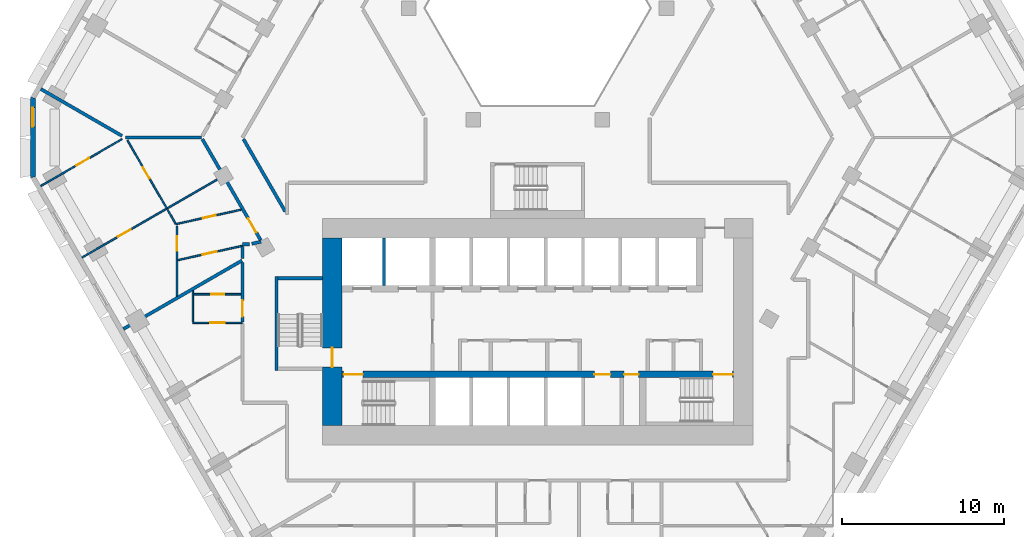
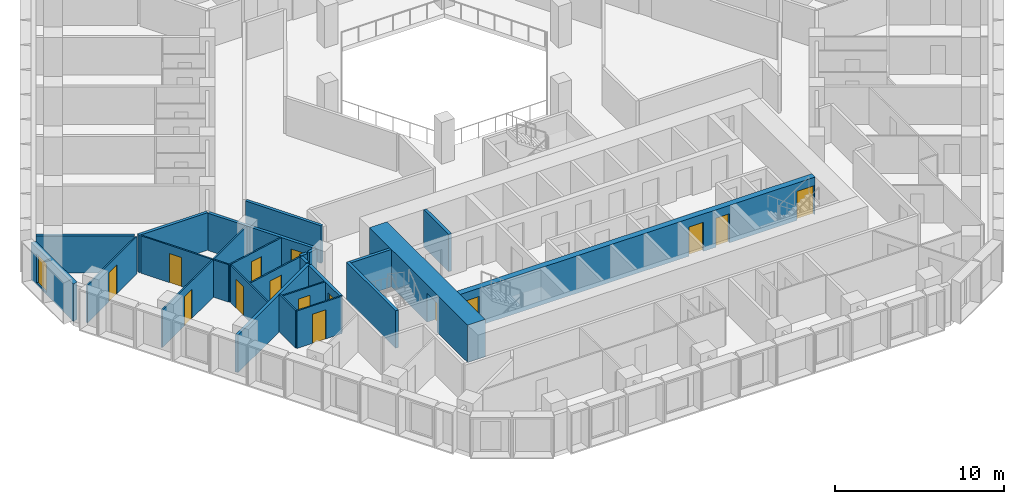
# One storey, part 4 of 16: 25 walls, 15 doors, 1 window, 16 openings.
"""IFC4 building model written with IfcOpenShell, lengths in metres."""

from ifc_helpers import new_model, si_unit, direction, frame, frame_2d, origin, place, context, subcontext, project, spatial, polyline, rectangle, outline, extrude, material, layer, layer_set, type_object, element, fill, save


model = new_model("IFC4")

# Units and contexts
model_context = context("Model", 3, precision=1e-05, world=origin(), true_north=direction((0.0, 1.0)))
body_context = subcontext(model_context, "Body", "Model", "MODEL_VIEW")
ifc_project = project(units=[si_unit("LENGTHUNIT", "METRE"), si_unit("AREAUNIT", "SQUARE_METRE"), si_unit("VOLUMEUNIT", "CUBIC_METRE"), si_unit("PLANEANGLEUNIT", "RADIAN"), si_unit("MASSUNIT", "GRAM", prefix="KILO")], contexts=[model_context])

# Site, building, storey
site_placement = place(None, origin())
site = spatial("IfcSite", under=ifc_project, at=site_placement, CompositionType="ELEMENT")
building_placement = place(site_placement, origin())
building = spatial("IfcBuilding", under=site, at=building_placement, Name="Beryl Residences", CompositionType="ELEMENT")
storey_placement = place(building_placement, frame((0.0, 0.0, 32.39990234375)))
storey = spatial("IfcBuildingStorey", under=building, at=storey_placement, Name="L09", CompositionType="ELEMENT", Elevation=32.39990234375)

# Wall, opening, window
ifc_material_1 = material(Name="Composite metal panel with mineral wool insulation")
ifc_layer_1 = layer(ifc_material_1, 0.300048828125)
ifc_layer_set_1 = layer_set([ifc_layer_1], Name="ES1 pale metal composite panel wall 300 mm")
wall_type_1 = type_object("IfcWallType", Name="ES1 pale metal composite panel wall 300 mm", PredefinedType="SOLIDWALL", material=ifc_layer_set_1)
wall_1_placement = place(storey_placement, frame((-31.199951171875, 2.5, 0.0), z_axis=(0.0, 0.0, 1.0), x_axis=(0.0, -1.0, 0.0)))
wall_1 = element("IfcWall", 1, at=wall_1_placement, inside=storey, type_object=wall_type_1, Name="ES1 external wall L09 NW-SW", PredefinedType="SOLIDWALL", context=body_context, shape_type="SweptSolid", body=[
    extrude(outline(polyline([(0.0, -0.14990234375), (5.0, -0.14990234375), (4.919677734375, 0.14990234375), (0.080322265625, 0.14990234375), (0.0, -0.14990234375)])), origin(), (0.0, 0.0, 1.0), 2.7001953125),
])
opening_1_placement = place(wall_1_placement, frame((0.64990234375, 0.0, 0.14990234375)))
opening_1 = element("IfcOpeningElement", 2, at=opening_1_placement, cuts=wall_1, Name="Opening W2", PredefinedType="OPENING", context=body_context, shape_type="SweptSolid", body=[
    extrude(rectangle(XDim=1.199951171875, YDim=2.10009765625, at=frame_2d((0.60009765625, 1.050048828125))), frame((0.0, 0.159912109375, 0.0), z_axis=(0.0, -1.0, 0.0), x_axis=(1.0, 0.0, 0.0)), (0.0, 0.0, 1.0), 0.320068359375),
])
ifc_material_2 = material(Name="Aluminium and clear glass", Category="aluminium")
window_type = type_object("IfcWindowType", Name="W2 chamfer window 1200 x 2100 mm", PartitioningType="SINGLE_PANEL", PredefinedType="WINDOW", material=ifc_material_2)
window_placement = place(opening_1_placement, origin())
window = element("IfcWindow", 3, at=window_placement, inside=storey, type_object=window_type, Name="W2 window L09 NW-SW 1", OverallHeight=2.10009765625, OverallWidth=1.199951171875, PartitioningType="SINGLE_PANEL", PredefinedType="WINDOW", context=body_context, shape_type="SweptSolid", body=[
    extrude(rectangle(XDim=1.199951171875, YDim=2.10009765625, at=frame_2d((0.60009765625, 1.050048828125))), frame((0.0, 0.030029296875, 0.0), z_axis=(0.0, -1.0, 0.0), x_axis=(1.0, 0.0, 0.0)), (0.0, 0.0, 1.0), 0.06005859375),
])
fill(opening_1, window)

# Wall, opening, door
ifc_material_3 = material(Name="Gypsum board partition on steel studs", Category="steel")
ifc_layer_2 = layer(ifc_material_3, 0.10009765625)
ifc_layer_set_2 = layer_set([ifc_layer_2], Name="PT1 partition 100 mm gypsum board on steel studs")
wall_type_2 = type_object("IfcWallType", Name="PT1 partition 100 mm gypsum board on steel studs", PredefinedType="PARTITIONING", material=ifc_layer_set_2)
wall_2_placement = place(storey_placement, frame((-25.35791015625, -0.174072265625, 0.0), z_axis=(0.0, 0.0, 1.0), x_axis=(0.500093956194, -0.865971151354, 0.0)))
wall_2 = element("IfcWall", 4, at=wall_2_placement, inside=storey, type_object=wall_type_2, Name="Wall PT1 L09 002", PredefinedType="PARTITIONING", context=body_context, shape_type="SweptSolid", body=[
    extrude(rectangle(XDim=4.873046875, YDim=0.10009765625, at=frame_2d((2.4365234375, 0.0))), origin(), (0.0, 0.0, 1.0), 2.7001953125),
])
opening_2_placement = place(wall_2_placement, frame((1.93701171875, 0.0, 0.0)))
opening_2 = element("IfcOpeningElement", 5, at=opening_2_placement, cuts=wall_2, Name="Opening D0418", PredefinedType="OPENING", context=body_context, shape_type="SweptSolid", body=[
    extrude(rectangle(XDim=0.800048828125, YDim=2.10009765625, at=frame_2d((0.39990234375, 1.050048828125))), frame((0.0, 0.06005859375, 0.0), z_axis=(0.0, -1.0, 0.0), x_axis=(1.0, 0.0, 0.0)), (0.0, 0.0, 1.0), 0.1201171875),
])
ifc_material_4 = material(Name="Timber door leaf", Category="wood")
door_type_1 = type_object("IfcDoorType", Name="D3 bathroom door 800 x 2100 mm", OperationType="SINGLE_SWING_LEFT", PredefinedType="DOOR", material=ifc_material_4)
door_1_placement = place(opening_2_placement, origin())
door_1 = element("IfcDoor", 6, at=door_1_placement, inside=storey, type_object=door_type_1, Name="Door D0418 L09 001", OperationType="SINGLE_SWING_RIGHT", OverallHeight=2.10009765625, OverallWidth=0.800048828125, PredefinedType="DOOR", context=body_context, shape_type="SweptSolid", body=[
    extrude(rectangle(XDim=0.800048828125, YDim=2.10009765625, at=frame_2d((0.39990234375, 1.050048828125))), frame((0.0, 0.02490234375, 0.0), z_axis=(0.0, -1.0, 0.0), x_axis=(1.0, 0.0, 0.0)), (0.0, 0.0, 1.0), 0.050048828125),
])
fill(opening_2, door_1)

# Wall
wall_3_placement = place(storey_placement, frame((-21.31005859375, -9.47412109375, 0.0), z_axis=(0.0, 0.0, 1.0), x_axis=(0.0, -1.0, 0.0)))
element("IfcWall", 7, at=wall_3_placement, inside=storey, type_object=wall_type_2, Name="Wall PT1 L09 010", PredefinedType="PARTITIONING", context=body_context, shape_type="SweptSolid", body=[
    extrude(rectangle(XDim=1.931884765625, YDim=0.10009765625, at=frame_2d((0.9658203125, 0.0))), origin(), (0.0, 0.0, 1.0), 2.7001953125),
])

# Wall, opening, door
wall_4_placement = place(storey_placement, frame((-21.260009765625, -9.68896484375, 0.0), z_axis=(0.0, 0.0, 1.0), x_axis=(1.0, 0.0, 0.0)))
wall_4 = element("IfcWall", 8, at=wall_4_placement, inside=storey, type_object=wall_type_2, Name="Wall PT1 L09 027", PredefinedType="PARTITIONING", context=body_context, shape_type="SweptSolid", body=[
    extrude(rectangle(XDim=2.909912109375, YDim=0.10009765625, at=frame_2d((1.455078125, 0.0))), origin(), (0.0, 0.0, 1.0), 2.7001953125),
])
opening_3_placement = place(wall_4_placement, frame((1.080078125, 0.0, 0.0)))
opening_3 = element("IfcOpeningElement", 9, at=opening_3_placement, cuts=wall_4, Name="Opening D0421", PredefinedType="OPENING", context=body_context, shape_type="SweptSolid", body=[
    extrude(rectangle(XDim=0.800048828125, YDim=2.10009765625, at=frame_2d((0.39990234375, 1.050048828125))), frame((0.0, 0.06005859375, 0.0), z_axis=(0.0, -1.0, 0.0), x_axis=(1.0, 0.0, 0.0)), (0.0, 0.0, 1.0), 0.1201171875),
])
door_2_placement = place(opening_3_placement, origin())
door_2 = element("IfcDoor", 10, at=door_2_placement, inside=storey, type_object=door_type_1, Name="Door D0421 L09 001", OperationType="SINGLE_SWING_LEFT", OverallHeight=2.10009765625, OverallWidth=0.800048828125, PredefinedType="DOOR", context=body_context, shape_type="SweptSolid", body=[
    extrude(rectangle(XDim=0.800048828125, YDim=2.10009765625, at=frame_2d((0.39990234375, 1.050048828125))), frame((0.0, 0.02490234375, 0.0), z_axis=(0.0, -1.0, 0.0), x_axis=(1.0, 0.0, 0.0)), (0.0, 0.0, 1.0), 0.050048828125),
])
fill(opening_3, door_2)

wall_5_placement = place(storey_placement, frame((-21.30908203125, -11.45703125, 0.0), z_axis=(0.0, 0.0, 1.0), x_axis=(1.0, 0.0, 0.0)))
wall_5 = element("IfcWall", 11, at=wall_5_placement, inside=storey, type_object=wall_type_2, Name="Wall PT1 L09 028", PredefinedType="PARTITIONING", context=body_context, shape_type="SweptSolid", body=[
    extrude(rectangle(XDim=3.05908203125, YDim=0.10009765625, at=frame_2d((1.529541015625, 0.0))), origin(), (0.0, 0.0, 1.0), 2.7001953125),
])
opening_4_placement = place(wall_5_placement, frame((1.0791015625, 0.0, 0.0)))
opening_4 = element("IfcOpeningElement", 12, at=opening_4_placement, cuts=wall_5, Name="Opening D0420", PredefinedType="OPENING", context=body_context, shape_type="SweptSolid", body=[
    extrude(rectangle(XDim=0.89990234375, YDim=2.10009765625, at=frame_2d((0.449951171875, 1.050048828125))), frame((0.0, 0.06005859375, 0.0), z_axis=(0.0, -1.0, 0.0), x_axis=(1.0, 0.0, 0.0)), (0.0, 0.0, 1.0), 0.1201171875),
])
ifc_material_5 = material(Name="Timber door leaf", Category="wood")
door_type_2 = type_object("IfcDoorType", Name="D2 room door 900 x 2100 mm", OperationType="SINGLE_SWING_LEFT", PredefinedType="DOOR", material=ifc_material_5)
door_3_placement = place(opening_4_placement, origin())
door_3 = element("IfcDoor", 13, at=door_3_placement, inside=storey, type_object=door_type_2, Name="Door D0420 L09 001", OperationType="SINGLE_SWING_RIGHT", OverallHeight=2.10009765625, OverallWidth=0.89990234375, PredefinedType="DOOR", context=body_context, shape_type="SweptSolid", body=[
    extrude(rectangle(XDim=0.89990234375, YDim=2.10009765625, at=frame_2d((0.449951171875, 1.050048828125))), frame((0.0, 0.02490234375, 0.0), z_axis=(0.0, -1.0, 0.0), x_axis=(1.0, 0.0, 0.0)), (0.0, 0.0, 1.0), 0.050048828125),
])
fill(opening_4, door_3)

wall_6_placement = place(storey_placement, frame((-22.297119140625, -9.81298828125, 0.0), z_axis=(0.0, 0.0, 1.0), x_axis=(0.0, 1.0, 0.0)))
wall_6 = element("IfcWall", 14, at=wall_6_placement, inside=storey, type_object=wall_type_2, Name="Wall PT1 L09 058", PredefinedType="PARTITIONING", context=body_context, shape_type="SweptSolid", body=[
    extrude(rectangle(XDim=4.337890625, YDim=0.10009765625, at=frame_2d((2.1689453125, 0.0))), origin(), (0.0, 0.0, 1.0), 2.7001953125),
])
opening_5_placement = place(wall_6_placement, frame((2.818115234375, 0.0, 0.0)))
opening_5 = element("IfcOpeningElement", 15, at=opening_5_placement, cuts=wall_6, Name="Opening D0415", PredefinedType="OPENING", context=body_context, shape_type="SweptSolid", body=[
    extrude(rectangle(XDim=0.89990234375, YDim=2.10009765625, at=frame_2d((0.449951171875, 1.050048828125))), frame((0.0, 0.06005859375, 0.0), z_axis=(0.0, -1.0, 0.0), x_axis=(1.0, 0.0, 0.0)), (0.0, 0.0, 1.0), 0.1201171875),
])
door_4_placement = place(opening_5_placement, origin())
door_4 = element("IfcDoor", 16, at=door_4_placement, inside=storey, type_object=door_type_2, Name="Door D0415 L09 001", OperationType="SINGLE_SWING_LEFT", OverallHeight=2.10009765625, OverallWidth=0.89990234375, PredefinedType="DOOR", context=body_context, shape_type="SweptSolid", body=[
    extrude(rectangle(XDim=0.89990234375, YDim=2.10009765625, at=frame_2d((0.449951171875, 1.050048828125))), frame((0.0, 0.02490234375, 0.0), z_axis=(0.0, -1.0, 0.0), x_axis=(1.0, 0.0, 0.0)), (0.0, 0.0, 1.0), 0.050048828125),
])
fill(opening_5, door_4)

wall_7_placement = place(storey_placement, frame((-22.364990234375, -5.35693359375, 0.0), z_axis=(0.0, 0.0, 1.0), x_axis=(0.976339488582, 0.216243388421, 0.0)))
wall_7 = element("IfcWall", 17, at=wall_7_placement, inside=storey, type_object=wall_type_2, Name="Wall PT1 L09 060", PredefinedType="PARTITIONING", context=body_context, shape_type="SweptSolid", body=[
    extrude(rectangle(XDim=4.138916015625, YDim=0.10009765625, at=frame_2d((2.0693359375, 0.0))), origin(), (0.0, 0.0, 1.0), 2.7001953125),
])
opening_6_placement = place(wall_7_placement, frame((1.721923828125, 0.0, 0.0)))
opening_6 = element("IfcOpeningElement", 18, at=opening_6_placement, cuts=wall_7, Name="Opening D0413", PredefinedType="OPENING", context=body_context, shape_type="SweptSolid", body=[
    extrude(rectangle(XDim=0.800048828125, YDim=2.10009765625, at=frame_2d((0.39990234375, 1.050048828125))), frame((0.0, 0.06005859375, 0.0), z_axis=(0.0, -1.0, 0.0), x_axis=(1.0, 0.0, 0.0)), (0.0, 0.0, 1.0), 0.1201171875),
])
door_5_placement = place(opening_6_placement, origin())
door_5 = element("IfcDoor", 19, at=door_5_placement, inside=storey, type_object=door_type_1, Name="Door D0413 L09 001", OperationType="SINGLE_SWING_LEFT", OverallHeight=2.10009765625, OverallWidth=0.800048828125, PredefinedType="DOOR", context=body_context, shape_type="SweptSolid", body=[
    extrude(rectangle(XDim=0.800048828125, YDim=2.10009765625, at=frame_2d((0.39990234375, 1.050048828125))), frame((0.0, 0.02490234375, 0.0), z_axis=(0.0, -1.0, 0.0), x_axis=(1.0, 0.0, 0.0)), (0.0, 0.0, 1.0), 0.050048828125),
])
fill(opening_6, door_5)

wall_8_placement = place(storey_placement, frame((-22.2470703125, -7.583984375, 0.0), z_axis=(0.0, 0.0, 1.0), x_axis=(0.97635375062, 0.216178985219, 0.0)))
wall_8 = element("IfcWall", 20, at=wall_8_placement, inside=storey, type_object=wall_type_2, Name="Wall PT1 L09 061", PredefinedType="PARTITIONING", context=body_context, shape_type="SweptSolid", body=[
    extrude(rectangle(XDim=4.093994140625, YDim=0.10009765625, at=frame_2d((2.046875, 0.0))), origin(), (0.0, 0.0, 1.0), 2.7001953125),
])
opening_7_placement = place(wall_8_placement, frame((1.571044921875, 0.0, 0.0)))
opening_7 = element("IfcOpeningElement", 21, at=opening_7_placement, cuts=wall_8, Name="Opening D0414", PredefinedType="OPENING", context=body_context, shape_type="SweptSolid", body=[
    extrude(rectangle(XDim=0.89990234375, YDim=2.10009765625, at=frame_2d((0.449951171875, 1.050048828125))), frame((0.0, 0.06005859375, 0.0), z_axis=(0.0, -1.0, 0.0), x_axis=(1.0, 0.0, 0.0)), (0.0, 0.0, 1.0), 0.1201171875),
])
door_6_placement = place(opening_7_placement, origin())
door_6 = element("IfcDoor", 22, at=door_6_placement, inside=storey, type_object=door_type_2, Name="Door D0414 L09 001", OperationType="SINGLE_SWING_RIGHT", OverallHeight=2.10009765625, OverallWidth=0.89990234375, PredefinedType="DOOR", context=body_context, shape_type="SweptSolid", body=[
    extrude(rectangle(XDim=0.89990234375, YDim=2.10009765625, at=frame_2d((0.449951171875, 1.050048828125))), frame((0.0, 0.02490234375, 0.0), z_axis=(0.0, -1.0, 0.0), x_axis=(1.0, 0.0, 0.0)), (0.0, 0.0, 1.0), 0.050048828125),
])
fill(opening_7, door_6)

wall_9_placement = place(storey_placement, frame((-28.1630859375, -7.419921875, 0.0), z_axis=(0.0, 0.0, 1.0), x_axis=(0.866065245018, 0.499930986609, 0.0)))
wall_9 = element("IfcWall", 23, at=wall_9_placement, inside=storey, type_object=wall_type_2, Name="Wall PT1 L09 066", PredefinedType="PARTITIONING", context=body_context, shape_type="SweptSolid", body=[
    extrude(rectangle(XDim=9.99951171875, YDim=0.10009765625, at=frame_2d((4.999755859375, 0.0))), origin(), (0.0, 0.0, 1.0), 2.7001953125),
])
opening_8_placement = place(wall_9_placement, frame((2.575927734375, 0.0, 0.0)))
opening_8 = element("IfcOpeningElement", 24, at=opening_8_placement, cuts=wall_9, Name="Opening D0416", PredefinedType="OPENING", context=body_context, shape_type="SweptSolid", body=[
    extrude(rectangle(XDim=0.89990234375, YDim=2.10009765625, at=frame_2d((0.449951171875, 1.050048828125))), frame((0.0, 0.06005859375, 0.0), z_axis=(0.0, -1.0, 0.0), x_axis=(1.0, 0.0, 0.0)), (0.0, 0.0, 1.0), 0.1201171875),
])
door_7_placement = place(opening_8_placement, origin())
door_7 = element("IfcDoor", 25, at=door_7_placement, inside=storey, type_object=door_type_2, Name="Door D0416 L09 001", OperationType="SINGLE_SWING_RIGHT", OverallHeight=2.10009765625, OverallWidth=0.89990234375, PredefinedType="DOOR", context=body_context, shape_type="SweptSolid", body=[
    extrude(rectangle(XDim=0.89990234375, YDim=2.10009765625, at=frame_2d((0.449951171875, 1.050048828125))), frame((0.0, 0.02490234375, 0.0), z_axis=(0.0, -1.0, 0.0), x_axis=(1.0, 0.0, 0.0)), (0.0, 0.0, 1.0), 0.050048828125),
])
fill(opening_8, door_7)

wall_10_placement = place(storey_placement, frame((-30.715087890625, -3.0, 0.0), z_axis=(0.0, 0.0, 1.0), x_axis=(0.866116197112, 0.49984270836, 0.0)))
wall_10 = element("IfcWall", 26, at=wall_10_placement, inside=storey, type_object=wall_type_2, Name="Wall PT1 L09 067", PredefinedType="PARTITIONING", context=body_context, shape_type="SweptSolid", body=[
    extrude(rectangle(XDim=5.799560546875, YDim=0.10009765625, at=frame_2d((2.89990234375, 0.0))), origin(), (0.0, 0.0, 1.0), 2.7001953125),
])
opening_9_placement = place(wall_10_placement, frame((2.550048828125, 0.0, 0.0)))
opening_9 = element("IfcOpeningElement", 27, at=opening_9_placement, cuts=wall_10, Name="Opening D0417", PredefinedType="OPENING", context=body_context, shape_type="SweptSolid", body=[
    extrude(rectangle(XDim=0.89990234375, YDim=2.10009765625, at=frame_2d((0.449951171875, 1.050048828125))), frame((0.0, 0.06005859375, 0.0), z_axis=(0.0, -1.0, 0.0), x_axis=(1.0, 0.0, 0.0)), (0.0, 0.0, 1.0), 0.1201171875),
])
door_8_placement = place(opening_9_placement, origin())
door_8 = element("IfcDoor", 28, at=door_8_placement, inside=storey, type_object=door_type_2, Name="Door D0417 L09 001", OperationType="SINGLE_SWING_LEFT", OverallHeight=2.10009765625, OverallWidth=0.89990234375, PredefinedType="DOOR", context=body_context, shape_type="SweptSolid", body=[
    extrude(rectangle(XDim=0.89990234375, YDim=2.10009765625, at=frame_2d((0.449951171875, 1.050048828125))), frame((0.0, 0.02490234375, 0.0), z_axis=(0.0, -1.0, 0.0), x_axis=(1.0, 0.0, 0.0)), (0.0, 0.0, 1.0), 0.050048828125),
])
fill(opening_9, door_8)

# Walls
wall_11_placement = place(storey_placement, frame((-22.9208984375, -4.39404296875, 0.0), z_axis=(0.0, 0.0, 1.0), x_axis=(0.499565963512, -0.866275849889, 0.0)))
element("IfcWall", 29, at=wall_11_placement, inside=storey, type_object=wall_type_2, Name="Wall PT1 L09 071", PredefinedType="PARTITIONING", context=body_context, shape_type="SweptSolid", body=[
    extrude(rectangle(XDim=1.08056640625, YDim=0.10009765625, at=frame_2d((0.540283203125, 0.0))), origin(), (0.0, 0.0, 1.0), 2.7001953125),
])
ifc_material_6 = material(Name="Acoustic double stud gypsum board wall")
ifc_layer_3 = layer(ifc_material_6, 0.199951171875)
ifc_layer_set_3 = layer_set([ifc_layer_3], Name="PT3 party wall 200 mm acoustic double stud")
wall_type_3 = type_object("IfcWallType", Name="PT3 party wall 200 mm acoustic double stud", PredefinedType="PARTITIONING", material=ifc_layer_set_3)
wall_12_placement = place(storey_placement, frame((-30.716064453125, 2.9990234375, 0.0), z_axis=(0.0, 0.0, 1.0), x_axis=(0.866032775405, -0.499987231761, 0.0)))
element("IfcWall", 30, at=wall_12_placement, inside=storey, type_object=wall_type_3, Name="Wall PT3 L09 006", PredefinedType="PARTITIONING", context=body_context, shape_type="SweptSolid", body=[
    extrude(rectangle(XDim=5.800048828125, YDim=0.199951171875, at=frame_2d((2.89990234375, 0.0))), origin(), (0.0, 0.0, 1.0), 2.7001953125),
])
wall_13_placement = place(storey_placement, frame((-25.47802734375, -0.0009765625, 0.0), z_axis=(0.0, 0.0, 1.0), x_axis=(1.0, 0.0, 0.0)))
element("IfcWall", 31, at=wall_13_placement, inside=storey, type_object=wall_type_3, Name="Wall PT3 L09 012", PredefinedType="PARTITIONING", context=body_context, shape_type="SweptSolid", body=[
    extrude(rectangle(XDim=4.694091796875, YDim=0.199951171875, at=frame_2d((2.34716796875, 0.0))), origin(), (0.0, 0.0, 1.0), 2.7001953125),
])
wall_14_placement = place(storey_placement, frame((-17.6689453125, -6.570068359375, 0.0), z_axis=(0.0, 0.0, 1.0), x_axis=(0.976422724526, 0.215867234728, 0.0)))
element("IfcWall", 32, at=wall_14_placement, inside=storey, type_object=wall_type_3, Name="Wall PT3 L09 020", PredefinedType="PARTITIONING", context=body_context, shape_type="SweptSolid", body=[
    extrude(rectangle(XDim=0.58349609375, YDim=0.199951171875, at=frame_2d((0.291748046875, 0.0))), origin(), (0.0, 0.0, 1.0), 2.7001953125),
])
wall_15_placement = place(storey_placement, frame((-25.610107421875, -11.841064453125, 0.0), z_axis=(0.0, 0.0, 1.0), x_axis=(0.866019023803, 0.500011050288, 0.0)))
element("IfcWall", 33, at=wall_15_placement, inside=storey, type_object=wall_type_3, Name="Wall PT3 L09 024", PredefinedType="PARTITIONING", context=body_context, shape_type="SweptSolid", body=[
    extrude(rectangle(XDim=8.469970703125, YDim=0.199951171875, at=frame_2d((4.23486328125, 0.0))), origin(), (0.0, 0.0, 1.0), 2.7001953125),
])
ifc_material_7 = material(Name="Double stud gypsum board wall")
ifc_layer_4 = layer(ifc_material_7, 0.199951171875)
ifc_layer_set_4 = layer_set([ifc_layer_4], Name="PT4 corridor wall 200 mm double stud")
wall_type_4 = type_object("IfcWallType", Name="PT4 corridor wall 200 mm double stud", PredefinedType="PARTITIONING", material=ifc_layer_set_4)
wall_16_placement = place(storey_placement, frame((-18.18603515625, -0.10107421875, 0.0), z_axis=(0.0, 0.0, 1.0), x_axis=(0.499997591167, -0.86602679452, 0.0)))
element("IfcWall", 34, at=wall_16_placement, inside=storey, type_object=wall_type_4, Name="Wall PT4 L09 002", PredefinedType="PARTITIONING", context=body_context, shape_type="SweptSolid", body=[
    extrude(rectangle(XDim=5.171875, YDim=0.199951171875, at=frame_2d((2.5859375, 0.0))), origin(), (0.0, 0.0, 1.0), 2.7001953125),
])

# Wall, opening, door
wall_17_placement = place(storey_placement, frame((-20.72705078125, -0.10107421875, 0.0), z_axis=(0.0, 0.0, 1.0), x_axis=(0.500049702773, -0.865996705973, 0.0)))
wall_17 = element("IfcWall", 35, at=wall_17_placement, inside=storey, type_object=wall_type_4, Name="Wall PT4 L09 003", PredefinedType="PARTITIONING", context=body_context, shape_type="SweptSolid", body=[
    extrude(rectangle(XDim=7.211181640625, YDim=0.199951171875, at=frame_2d((3.60546875, 0.0))), origin(), (0.0, 0.0, 1.0), 2.7001953125),
])
opening_10_placement = place(wall_17_placement, frame((5.654052734375, 0.0, 0.0)))
opening_10 = element("IfcOpeningElement", 36, at=opening_10_placement, cuts=wall_17, Name="Opening D0412", PredefinedType="OPENING", context=body_context, shape_type="SweptSolid", body=[
    extrude(rectangle(XDim=1.0, YDim=2.10009765625, at=frame_2d((0.5, 1.050048828125))), frame((0.0, 0.10986328125, 0.0), z_axis=(0.0, -1.0, 0.0), x_axis=(1.0, 0.0, 0.0)), (0.0, 0.0, 1.0), 0.219970703125),
])
ifc_material_8 = material(Name="Timber door leaf", Category="wood")
door_type_3 = type_object("IfcDoorType", Name="D1 flat entrance door 1000 x 2100 mm", OperationType="SINGLE_SWING_LEFT", PredefinedType="DOOR", material=ifc_material_8)
door_9_placement = place(opening_10_placement, origin())
door_9 = element("IfcDoor", 37, at=door_9_placement, inside=storey, type_object=door_type_3, Name="Door D0412 L09 001", OperationType="SINGLE_SWING_RIGHT", OverallHeight=2.10009765625, OverallWidth=1.0, PredefinedType="DOOR", context=body_context, shape_type="SweptSolid", body=[
    extrude(rectangle(XDim=1.0, YDim=2.10009765625, at=frame_2d((0.5, 1.050048828125))), frame((0.0, 0.02490234375, 0.0), z_axis=(0.0, -1.0, 0.0), x_axis=(1.0, 0.0, 0.0)), (0.0, 0.0, 1.0), 0.050048828125),
])
fill(opening_10, door_9)

# Wall
wall_18_placement = place(storey_placement, frame((-18.25, -6.60009765625, 0.0), z_axis=(0.0, 0.0, 1.0), x_axis=(1.0, 0.0, 0.0)))
element("IfcWall", 38, at=wall_18_placement, inside=storey, type_object=wall_type_4, Name="Wall PT4 L09 009", PredefinedType="PARTITIONING", context=body_context, shape_type="SweptSolid", body=[
    extrude(rectangle(XDim=0.445068359375, YDim=0.199951171875, at=frame_2d((0.22265625, 0.0))), origin(), (0.0, 0.0, 1.0), 2.7001953125),
])

# Wall, opening, door
wall_19_placement = place(storey_placement, frame((-18.25, -11.406982421875, 0.0), z_axis=(0.0, 0.0, 1.0), x_axis=(0.0, 1.0, 0.0)))
wall_19 = element("IfcWall", 39, at=wall_19_placement, inside=storey, type_object=wall_type_4, Name="Wall PT4 L09 031", PredefinedType="PARTITIONING", context=body_context, shape_type="SweptSolid", body=[
    extrude(rectangle(XDim=3.6650390625, YDim=0.199951171875, at=frame_2d((1.83251953125, 0.0))), origin(), (0.0, 0.0, 1.0), 2.7001953125),
])
opening_11_placement = place(wall_19_placement, frame((0.333984375, 0.0, 0.0)))
opening_11 = element("IfcOpeningElement", 40, at=opening_11_placement, cuts=wall_19, Name="Opening D0419", PredefinedType="OPENING", context=body_context, shape_type="SweptSolid", body=[
    extrude(rectangle(XDim=1.0, YDim=2.10009765625, at=frame_2d((0.5, 1.050048828125))), frame((0.0, 0.10986328125, 0.0), z_axis=(0.0, -1.0, 0.0), x_axis=(1.0, 0.0, 0.0)), (0.0, 0.0, 1.0), 0.219970703125),
])
door_10_placement = place(opening_11_placement, origin())
door_10 = element("IfcDoor", 41, at=door_10_placement, inside=storey, type_object=door_type_3, Name="Door D0419 L09 001", OperationType="SINGLE_SWING_LEFT", OverallHeight=2.10009765625, OverallWidth=1.0, PredefinedType="DOOR", context=body_context, shape_type="SweptSolid", body=[
    extrude(rectangle(XDim=1.0, YDim=2.10009765625, at=frame_2d((0.5, 1.050048828125))), frame((0.0, 0.02490234375, 0.0), z_axis=(0.0, -1.0, 0.0), x_axis=(1.0, 0.0, 0.0)), (0.0, 0.0, 1.0), 0.050048828125),
])
fill(opening_11, door_10)

# Walls
wall_20_placement = place(storey_placement, frame((-18.25, -7.47607421875, 0.0), z_axis=(0.0, 0.0, 1.0), x_axis=(0.0, 1.0, 0.0)))
element("IfcWall", 42, at=wall_20_placement, inside=storey, type_object=wall_type_4, Name="Wall PT4 L09 032", PredefinedType="PARTITIONING", context=body_context, shape_type="SweptSolid", body=[
    extrude(rectangle(XDim=0.72607421875, YDim=0.199951171875, at=frame_2d((0.363037109375, 0.0))), origin(), (0.0, 0.0, 1.0), 2.7001953125),
])
ifc_material_9 = material(Name="Concrete C40/50", Category="concrete")
ifc_layer_5 = layer(ifc_material_9, 0.199951171875)
ifc_layer_set_5 = layer_set([ifc_layer_5], Name="PT5 stair enclosure wall 200 mm reinforced concrete C40/50")
wall_type_5 = type_object("IfcWallType", Name="PT5 stair enclosure wall 200 mm reinforced concrete C40/50", PredefinedType="SOLIDWALL", material=ifc_layer_set_5)
wall_21_placement = place(storey_placement, frame((-16.14990234375, -14.39990234375, 0.0), z_axis=(0.0, 0.0, 1.0), x_axis=(0.0, 1.0, 0.0)))
element("IfcWall", 43, at=wall_21_placement, inside=storey, type_object=wall_type_5, Name="Stair wall 01", PredefinedType="SOLIDWALL", context=body_context, shape_type="SweptSolid", body=[
    extrude(rectangle(XDim=5.7998046875, YDim=0.199951171875, at=frame_2d((2.89990234375, 0.0))), origin(), (0.0, 0.0, 1.0), 2.7001953125),
])
wall_22_placement = place(storey_placement, frame((-16.050048828125, -8.699951171875, 0.0), z_axis=(0.0, 0.0, 1.0), x_axis=(1.0, 0.0, 0.0)))
element("IfcWall", 44, at=wall_22_placement, inside=storey, type_object=wall_type_5, Name="Stair wall 03", PredefinedType="SOLIDWALL", context=body_context, shape_type="SweptSolid", body=[
    extrude(rectangle(XDim=2.75, YDim=0.199951171875, at=frame_2d((1.375, 0.0))), origin(), (0.0, 0.0, 1.0), 2.7001953125),
])
ifc_material_10 = material(Name="Concrete C40/50", Category="concrete")
ifc_layer_6 = layer(ifc_material_10, 0.199951171875)
ifc_layer_set_6 = layer_set([ifc_layer_6], Name="PT6 lift shaft wall 200 mm reinforced concrete C40/50")
wall_type_6 = type_object("IfcWallType", Name="PT6 lift shaft wall 200 mm reinforced concrete C40/50", PredefinedType="SOLIDWALL", material=ifc_layer_set_6)
wall_23_placement = place(storey_placement, frame((-9.5, -9.14990234375, 0.0), z_axis=(0.0, 0.0, 1.0), x_axis=(0.0, 1.0, 0.0)))
element("IfcWall", 45, at=wall_23_placement, inside=storey, type_object=wall_type_6, Name="Lift shaft wall 05", PredefinedType="SOLIDWALL", context=body_context, shape_type="SweptSolid", body=[
    extrude(rectangle(XDim=2.949951171875, YDim=0.199951171875, at=frame_2d((1.47509765625, 0.0))), origin(), (0.0, 0.0, 1.0), 2.7001953125),
])

# Wall, opening, door
ifc_material_11 = material(Name="Concrete C80/95", Category="concrete")
ifc_layer_7 = layer(ifc_material_11, 1.199951171875)
ifc_layer_set_7 = layer_set([ifc_layer_7], Name="SW1 core outer wall 1200 mm C80/95")
wall_type_7 = type_object("IfcWallType", Name="SW1 core outer wall 1200 mm C80/95", PredefinedType="SHEAR", material=ifc_layer_set_7)
wall_24_placement = place(storey_placement, frame((-12.699951171875, -17.800048828125, 0.0), z_axis=(0.0, 0.0, 1.0), x_axis=(0.0, 1.0, 0.0)))
wall_24 = element("IfcWall", 46, at=wall_24_placement, inside=storey, type_object=wall_type_7, Name="Core wall W L09", PredefinedType="SHEAR", context=body_context, shape_type="SweptSolid", body=[
    extrude(rectangle(XDim=11.60009765625, YDim=1.199951171875, at=frame_2d((5.800048828125, 0.0))), origin(), (0.0, 0.0, 1.0), 2.7001953125),
])
opening_12_placement = place(wall_24_placement, frame((3.60009765625, 0.0, 0.0)))
opening_12 = element("IfcOpeningElement", 47, at=opening_12_placement, cuts=wall_24, Name="Opening SD-2", PredefinedType="OPENING", context=body_context, shape_type="SweptSolid", body=[
    extrude(rectangle(XDim=1.199951171875, YDim=2.10009765625, at=frame_2d((0.60009765625, 1.050048828125))), frame((0.0, 0.60986328125, 0.0), z_axis=(0.0, -1.0, 0.0), x_axis=(1.0, 0.0, 0.0)), (0.0, 0.0, 1.0), 1.219970703125),
])
ifc_material_12 = material(Name="Steel door leaf in steel frame", Category="steel")
door_type_4 = type_object("IfcDoorType", Name="D4 stair door 1200 x 2100 mm", OperationType="SINGLE_SWING_LEFT", PredefinedType="DOOR", material=ifc_material_12)
door_11_placement = place(opening_12_placement, origin())
door_11 = element("IfcDoor", 48, at=door_11_placement, inside=storey, type_object=door_type_4, Name="Door SD-2 L09 001", OperationType="SINGLE_SWING_RIGHT", OverallHeight=2.10009765625, OverallWidth=1.199951171875, PredefinedType="DOOR", context=body_context, shape_type="SweptSolid", body=[
    extrude(rectangle(XDim=1.199951171875, YDim=2.10009765625, at=frame_2d((0.60009765625, 1.050048828125))), frame((0.0, 0.02490234375, 0.0), z_axis=(0.0, -1.0, 0.0), x_axis=(1.0, 0.0, 0.0)), (0.0, 0.0, 1.0), 0.050048828125),
])
fill(opening_12, door_11)

# Wall, openings, doors
ifc_material_13 = material(Name="Concrete C80/95", Category="concrete")
ifc_layer_8 = layer(ifc_material_13, 0.39990234375)
ifc_layer_set_8 = layer_set([ifc_layer_8], Name="SW6 core internal wall 400 mm C80/95")
wall_type_8 = type_object("IfcWallType", Name="SW6 core internal wall 400 mm C80/95", PredefinedType="SHEAR", material=ifc_layer_set_8)
wall_25_placement = place(storey_placement, frame((-12.10009765625, -14.64990234375, 0.0), z_axis=(0.0, 0.0, 1.0), x_axis=(1.0, 0.0, 0.0)))
wall_25 = element("IfcWall", 49, at=wall_25_placement, inside=storey, type_object=wall_type_8, Name="Core wall SP1 L09", PredefinedType="SHEAR", context=body_context, shape_type="SweptSolid", body=[
    extrude(rectangle(XDim=24.2001953125, YDim=0.39990234375, at=frame_2d((12.10009765625, 0.0))), origin(), (0.0, 0.0, 1.0), 2.7001953125),
])
opening_13_placement = place(wall_25_placement, frame((1.300048828125, 0.0, 0.0), z_axis=(0.0, 0.0, 1.0), x_axis=(-1.0, 0.0, 0.0)))
opening_13 = element("IfcOpeningElement", 50, at=opening_13_placement, cuts=wall_25, Name="Opening SD-1", PredefinedType="OPENING", context=body_context, shape_type="SweptSolid", body=[
    extrude(rectangle(XDim=1.199951171875, YDim=2.10009765625, at=frame_2d((0.60009765625, 1.050048828125))), frame((0.0, 0.2099609375, 0.0), z_axis=(0.0, -1.0, 0.0), x_axis=(1.0, 0.0, 0.0)), (0.0, 0.0, 1.0), 0.419921875),
])
opening_14_placement = place(wall_25_placement, frame((24.14990234375, 0.0, 0.0), z_axis=(0.0, 0.0, 1.0), x_axis=(-1.0, 0.0, 0.0)))
opening_14 = element("IfcOpeningElement", 51, at=opening_14_placement, cuts=wall_25, Name="Opening SD-3", PredefinedType="OPENING", context=body_context, shape_type="SweptSolid", body=[
    extrude(rectangle(XDim=1.199951171875, YDim=2.10009765625, at=frame_2d((0.60009765625, 1.050048828125))), frame((0.0, 0.2099609375, 0.0), z_axis=(0.0, -1.0, 0.0), x_axis=(1.0, 0.0, 0.0)), (0.0, 0.0, 1.0), 0.419921875),
])
opening_15_placement = place(wall_25_placement, frame((16.60009765625, 0.0, 0.0), z_axis=(0.0, 0.0, 1.0), x_axis=(-1.0, 0.0, 0.0)))
opening_15 = element("IfcOpeningElement", 52, at=opening_15_placement, cuts=wall_25, Name="Opening CD-D-S1", PredefinedType="OPENING", context=body_context, shape_type="SweptSolid", body=[
    extrude(rectangle(XDim=1.0, YDim=2.10009765625, at=frame_2d((0.5, 1.050048828125))), frame((0.0, 0.2099609375, 0.0), z_axis=(0.0, -1.0, 0.0), x_axis=(1.0, 0.0, 0.0)), (0.0, 0.0, 1.0), 0.419921875),
])
opening_16_placement = place(wall_25_placement, frame((18.349853515625, 0.0, 0.0), z_axis=(0.0, 0.0, 1.0), x_axis=(-1.0, 0.0, 0.0)))
opening_16 = element("IfcOpeningElement", 53, at=opening_16_placement, cuts=wall_25, Name="Opening RD-D-S2", PredefinedType="OPENING", context=body_context, shape_type="SweptSolid", body=[
    extrude(rectangle(XDim=0.89990234375, YDim=2.10009765625, at=frame_2d((0.449951171875, 1.050048828125))), frame((0.0, 0.2099609375, 0.0), z_axis=(0.0, -1.0, 0.0), x_axis=(1.0, 0.0, 0.0)), (0.0, 0.0, 1.0), 0.419921875),
])
ifc_material_14 = material(Name="Steel door leaf in steel frame", Category="steel")
door_type_5 = type_object("IfcDoorType", Name="D18 service room door 1000 x 2100 mm", OperationType="SINGLE_SWING_LEFT", PredefinedType="DOOR", material=ifc_material_14)
door_12_placement = place(opening_15_placement, origin())
door_12 = element("IfcDoor", 54, at=door_12_placement, inside=storey, type_object=door_type_5, Name="Door CD-D-S1 L09 001", OperationType="SINGLE_SWING_RIGHT", OverallHeight=2.10009765625, OverallWidth=1.0, PredefinedType="DOOR", context=body_context, shape_type="SweptSolid", body=[
    extrude(rectangle(XDim=1.0, YDim=2.10009765625, at=frame_2d((0.5, 1.050048828125))), frame((0.0, 0.02490234375, 0.0), z_axis=(0.0, -1.0, 0.0), x_axis=(1.0, 0.0, 0.0)), (0.0, 0.0, 1.0), 0.050048828125),
])
fill(opening_15, door_12)
ifc_material_15 = material(Name="Steel door leaf in steel frame", Category="steel")
door_type_6 = type_object("IfcDoorType", Name="D23 riser door 900 x 2100 mm", OperationType="SINGLE_SWING_LEFT", PredefinedType="DOOR", material=ifc_material_15)
door_13_placement = place(opening_16_placement, origin())
door_13 = element("IfcDoor", 55, at=door_13_placement, inside=storey, type_object=door_type_6, Name="Door RD-D-S2 L09 001", OperationType="SINGLE_SWING_LEFT", OverallHeight=2.10009765625, OverallWidth=0.89990234375, PredefinedType="DOOR", context=body_context, shape_type="SweptSolid", body=[
    extrude(rectangle(XDim=0.89990234375, YDim=2.10009765625, at=frame_2d((0.449951171875, 1.050048828125))), frame((0.0, 0.02490234375, 0.0), z_axis=(0.0, -1.0, 0.0), x_axis=(1.0, 0.0, 0.0)), (0.0, 0.0, 1.0), 0.050048828125),
])
fill(opening_16, door_13)
door_14_placement = place(opening_13_placement, origin())
door_14 = element("IfcDoor", 56, at=door_14_placement, inside=storey, type_object=door_type_4, Name="Door SD-1 L09 001", OperationType="SINGLE_SWING_RIGHT", OverallHeight=2.10009765625, OverallWidth=1.199951171875, PredefinedType="DOOR", context=body_context, shape_type="SweptSolid", body=[
    extrude(rectangle(XDim=1.199951171875, YDim=2.10009765625, at=frame_2d((0.60009765625, 1.050048828125))), frame((0.0, 0.02490234375, 0.0), z_axis=(0.0, -1.0, 0.0), x_axis=(1.0, 0.0, 0.0)), (0.0, 0.0, 1.0), 0.050048828125),
])
fill(opening_13, door_14)
door_15_placement = place(opening_14_placement, origin())
door_15 = element("IfcDoor", 57, at=door_15_placement, inside=storey, type_object=door_type_4, Name="Door SD-3 L09 001", OperationType="SINGLE_SWING_RIGHT", OverallHeight=2.10009765625, OverallWidth=1.199951171875, PredefinedType="DOOR", context=body_context, shape_type="SweptSolid", body=[
    extrude(rectangle(XDim=1.199951171875, YDim=2.10009765625, at=frame_2d((0.60009765625, 1.050048828125))), frame((0.0, 0.02490234375, 0.0), z_axis=(0.0, -1.0, 0.0), x_axis=(1.0, 0.0, 0.0)), (0.0, 0.0, 1.0), 0.050048828125),
])
fill(opening_14, door_15)

save(model, "model.ifc")
